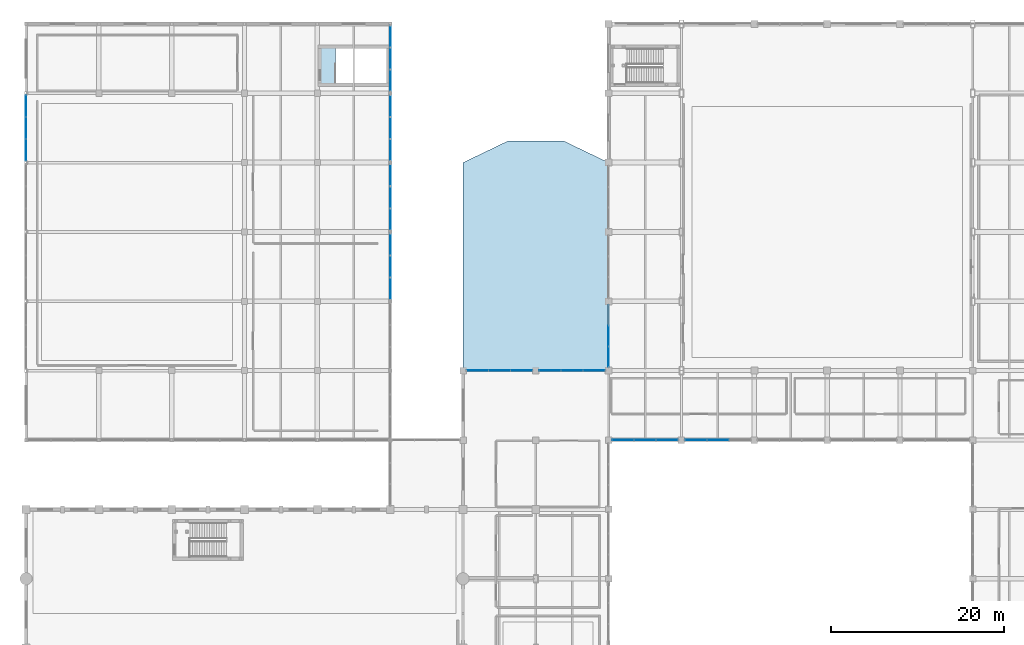
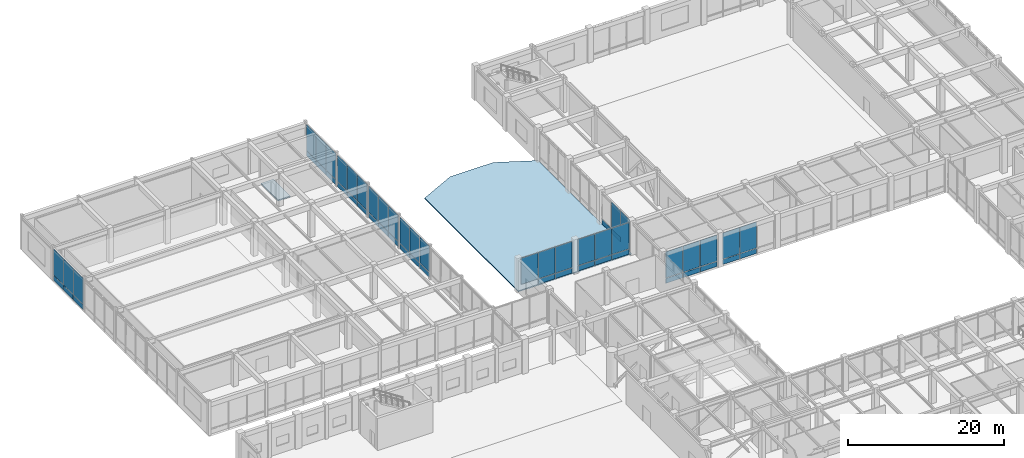
# One storey, part 52 of 79: 56 plates, 2 slabs, 10 elements without a shape of their own.
"""IFC4 building model written with IfcOpenShell, lengths in metres."""

from ifc_helpers import new_model, si_unit, direction, frame, origin, origin_2d, place, context, subcontext, project, spatial, polyline, rectangle, outline, extrude, material, layer, layer_set, type_object, element, aggregate, save


model = new_model("IFC4")

# Units and contexts
model_context = context("Model", 3, precision=1e-05, world=origin(), true_north=direction((0.0, 1.0)))
body_context = subcontext(model_context, "Body", "Model", "MODEL_VIEW")
ifc_project = project(units=[si_unit("LENGTHUNIT", "METRE"), si_unit("AREAUNIT", "SQUARE_METRE"), si_unit("VOLUMEUNIT", "CUBIC_METRE"), si_unit("PLANEANGLEUNIT", "RADIAN"), si_unit("MASSUNIT", "GRAM", prefix="KILO")], contexts=[model_context])

# Site, building, storey
site_placement = place(None, origin())
site = spatial("IfcSite", under=ifc_project, at=site_placement, CompositionType="ELEMENT")
building_placement = place(site_placement, origin())
building = spatial("IfcBuilding", under=site, at=building_placement, Name="Naruveol Harbour Congress Hotel", CompositionType="ELEMENT")
storey_placement = place(building_placement, frame((0.0, 0.0, 6.0)))
storey = spatial("IfcBuildingStorey", under=building, at=storey_placement, Name="L01", CompositionType="ELEMENT", Elevation=6.0)

# Curtain wall, plates
ifc_material_1 = material(Name="Low-E Curtain Wall System", Category="glass")
ifc_layer_1 = layer(ifc_material_1, 0.179931640625)
ifc_layer_set_1 = layer_set([ifc_layer_1], Name="Low-E Curtain Wall System")
curtain_wall_type_1 = type_object("IfcCurtainWallType", Name="UNITISED CURTAIN WALL CW-V3P-13 7650X5100", PredefinedType="USERDEFINED", material=ifc_layer_set_1)
curtain_wall_1_placement = place(storey_placement, origin())
curtain_wall_1 = element("IfcCurtainWall", 1, at=curtain_wall_1_placement, inside=storey, type_object=curtain_wall_type_1, Name="Unitised curtain wall CW-V3P-13 L01", ObjectType="UNITISED GLAZING", PredefinedType="USERDEFINED")
ifc_material_2 = material(Name="Anodised Aluminium Spandrel", Category="aluminium")
ifc_layer_2 = layer(ifc_material_2, 0.054931640625)
ifc_layer_set_2 = layer_set([ifc_layer_2], Name="Anodised Aluminium Spandrel")
plate_type_1 = type_object("IfcPlateType", Name="INSULATED CERAMIC SPANDREL PANEL 55", PredefinedType="CURTAIN_PANEL", material=ifc_layer_set_2)
plate_1_placement = place(storey_placement, frame((-0.010009765625, 97.449951171875, 0.0400390625), z_axis=(0.0, 0.0, 1.0), x_axis=(0.0, 1.0, 0.0)))
plate_1 = element("IfcPlate", 2, at=plate_1_placement, type_object=plate_type_1, Name="Curtain wall spandrel panel CW-L01-0021-PS0", PredefinedType="CURTAIN_PANEL", context=body_context, shape_type="SweptSolid", body=[
    extrude(rectangle(XDim=2.469970703125, YDim=0.054931640625, at=origin_2d()), origin(), (0.0, 0.0, 1.0), 0.77001953125),
])
plate_2_placement = place(storey_placement, frame((-0.010009765625, 100.0, 0.0400390625), z_axis=(0.0, 0.0, 1.0), x_axis=(0.0, 1.0, 0.0)))
plate_2 = element("IfcPlate", 3, at=plate_2_placement, type_object=plate_type_1, Name="Curtain wall spandrel panel CW-L01-0021-PS1", PredefinedType="CURTAIN_PANEL", context=body_context, shape_type="SweptSolid", body=[
    extrude(rectangle(XDim=2.469970703125, YDim=0.054931640625, at=origin_2d()), origin(), (0.0, 0.0, 1.0), 0.77001953125),
])
plate_3_placement = place(storey_placement, frame((-0.010009765625, 102.550048828125, 0.0400390625), z_axis=(0.0, 0.0, 1.0), x_axis=(0.0, 1.0, 0.0)))
plate_3 = element("IfcPlate", 4, at=plate_3_placement, type_object=plate_type_1, Name="Curtain wall spandrel panel CW-L01-0021-PS2", PredefinedType="CURTAIN_PANEL", context=body_context, shape_type="SweptSolid", body=[
    extrude(rectangle(XDim=2.469970703125, YDim=0.054931640625, at=origin_2d()), origin(), (0.0, 0.0, 1.0), 0.77001953125),
])

ifc_material_3 = material(Name="Low-E Curtain Wall System", Category="glass")
ifc_layer_3 = layer(ifc_material_3, 0.179931640625)
ifc_layer_set_3 = layer_set([ifc_layer_3], Name="Low-E Curtain Wall System")
curtain_wall_type_2 = type_object("IfcCurtainWallType", Name="UNITISED CURTAIN WALL CW-V3E-15 7650X5100", PredefinedType="USERDEFINED", material=ifc_layer_set_3)
curtain_wall_2_placement = place(storey_placement, origin())
curtain_wall_2 = element("IfcCurtainWall", 5, at=curtain_wall_2_placement, inside=storey, type_object=curtain_wall_type_2, Name="Unitised curtain wall CW-V3E-15 L01", ObjectType="UNITISED GLAZING", PredefinedType="USERDEFINED")
plate_4_placement = place(storey_placement, frame((42.010009765625, 86.550048828125, 0.0400390625), z_axis=(0.0, 0.0, 1.0), x_axis=(0.0, -1.0, 0.0)))
plate_4 = element("IfcPlate", 6, at=plate_4_placement, type_object=plate_type_1, Name="Curtain wall spandrel panel CW-L01-0029-PS0", PredefinedType="CURTAIN_PANEL", context=body_context, shape_type="SweptSolid", body=[
    extrude(rectangle(XDim=2.469970703125, YDim=0.054931640625, at=origin_2d()), origin(), (0.0, 0.0, 1.0), 0.77001953125),
])
plate_5_placement = place(storey_placement, frame((42.010009765625, 84.0, 0.0400390625), z_axis=(0.0, 0.0, 1.0), x_axis=(0.0, -1.0, 0.0)))
plate_5 = element("IfcPlate", 7, at=plate_5_placement, type_object=plate_type_1, Name="Curtain wall spandrel panel CW-L01-0029-PS1", PredefinedType="CURTAIN_PANEL", context=body_context, shape_type="SweptSolid", body=[
    extrude(rectangle(XDim=2.469970703125, YDim=0.054931640625, at=origin_2d()), origin(), (0.0, 0.0, 1.0), 0.77001953125),
])
plate_6_placement = place(storey_placement, frame((42.010009765625, 81.449951171875, 0.0400390625), z_axis=(0.0, 0.0, 1.0), x_axis=(0.0, -1.0, 0.0)))
plate_6 = element("IfcPlate", 8, at=plate_6_placement, type_object=plate_type_1, Name="Curtain wall spandrel panel CW-L01-0029-PS2", PredefinedType="CURTAIN_PANEL", context=body_context, shape_type="SweptSolid", body=[
    extrude(rectangle(XDim=2.469970703125, YDim=0.054931640625, at=origin_2d()), origin(), (0.0, 0.0, 1.0), 0.77001953125),
])

curtain_wall_3_placement = place(storey_placement, origin())
curtain_wall_3 = element("IfcCurtainWall", 9, at=curtain_wall_3_placement, inside=storey, type_object=curtain_wall_type_2, Name="Unitised curtain wall CW-V3E-15 L01", ObjectType="UNITISED GLAZING", PredefinedType="USERDEFINED")
plate_7_placement = place(storey_placement, frame((42.010009765625, 94.550048828125, 0.0400390625), z_axis=(0.0, 0.0, 1.0), x_axis=(0.0, -1.0, 0.0)))
plate_7 = element("IfcPlate", 10, at=plate_7_placement, type_object=plate_type_1, Name="Curtain wall spandrel panel CW-L01-0030-PS0", PredefinedType="CURTAIN_PANEL", context=body_context, shape_type="SweptSolid", body=[
    extrude(rectangle(XDim=2.469970703125, YDim=0.054931640625, at=origin_2d()), origin(), (0.0, 0.0, 1.0), 0.77001953125),
])
plate_8_placement = place(storey_placement, frame((42.010009765625, 92.0, 0.0400390625), z_axis=(0.0, 0.0, 1.0), x_axis=(0.0, -1.0, 0.0)))
plate_8 = element("IfcPlate", 11, at=plate_8_placement, type_object=plate_type_1, Name="Curtain wall spandrel panel CW-L01-0030-PS1", PredefinedType="CURTAIN_PANEL", context=body_context, shape_type="SweptSolid", body=[
    extrude(rectangle(XDim=2.469970703125, YDim=0.054931640625, at=origin_2d()), origin(), (0.0, 0.0, 1.0), 0.77001953125),
])
plate_9_placement = place(storey_placement, frame((42.010009765625, 89.449951171875, 0.0400390625), z_axis=(0.0, 0.0, 1.0), x_axis=(0.0, -1.0, 0.0)))
plate_9 = element("IfcPlate", 12, at=plate_9_placement, type_object=plate_type_1, Name="Curtain wall spandrel panel CW-L01-0030-PS2", PredefinedType="CURTAIN_PANEL", context=body_context, shape_type="SweptSolid", body=[
    extrude(rectangle(XDim=2.469970703125, YDim=0.054931640625, at=origin_2d()), origin(), (0.0, 0.0, 1.0), 0.77001953125),
])

curtain_wall_4_placement = place(storey_placement, origin())
curtain_wall_4 = element("IfcCurtainWall", 13, at=curtain_wall_4_placement, inside=storey, type_object=curtain_wall_type_2, Name="Unitised curtain wall CW-V3E-15 L01", ObjectType="UNITISED GLAZING", PredefinedType="USERDEFINED")
plate_10_placement = place(storey_placement, frame((42.010009765625, 102.550048828125, 0.0400390625), z_axis=(0.0, 0.0, 1.0), x_axis=(0.0, -1.0, 0.0)))
plate_10 = element("IfcPlate", 14, at=plate_10_placement, type_object=plate_type_1, Name="Curtain wall spandrel panel CW-L01-0031-PS0", PredefinedType="CURTAIN_PANEL", context=body_context, shape_type="SweptSolid", body=[
    extrude(rectangle(XDim=2.469970703125, YDim=0.054931640625, at=origin_2d()), origin(), (0.0, 0.0, 1.0), 0.77001953125),
])
plate_11_placement = place(storey_placement, frame((42.010009765625, 100.0, 0.0400390625), z_axis=(0.0, 0.0, 1.0), x_axis=(0.0, -1.0, 0.0)))
plate_11 = element("IfcPlate", 15, at=plate_11_placement, type_object=plate_type_1, Name="Curtain wall spandrel panel CW-L01-0031-PS1", PredefinedType="CURTAIN_PANEL", context=body_context, shape_type="SweptSolid", body=[
    extrude(rectangle(XDim=2.469970703125, YDim=0.054931640625, at=origin_2d()), origin(), (0.0, 0.0, 1.0), 0.77001953125),
])
plate_12_placement = place(storey_placement, frame((42.010009765625, 97.449951171875, 0.0400390625), z_axis=(0.0, 0.0, 1.0), x_axis=(0.0, -1.0, 0.0)))
plate_12 = element("IfcPlate", 16, at=plate_12_placement, type_object=plate_type_1, Name="Curtain wall spandrel panel CW-L01-0031-PS2", PredefinedType="CURTAIN_PANEL", context=body_context, shape_type="SweptSolid", body=[
    extrude(rectangle(XDim=2.469970703125, YDim=0.054931640625, at=origin_2d()), origin(), (0.0, 0.0, 1.0), 0.77001953125),
])

curtain_wall_5_placement = place(storey_placement, origin())
curtain_wall_5 = element("IfcCurtainWall", 17, at=curtain_wall_5_placement, inside=storey, type_object=curtain_wall_type_2, Name="Unitised curtain wall CW-V3E-15 L01", ObjectType="UNITISED GLAZING", PredefinedType="USERDEFINED")
plate_13_placement = place(storey_placement, frame((42.010009765625, 110.550048828125, 0.0400390625), z_axis=(0.0, 0.0, 1.0), x_axis=(0.0, -1.0, 0.0)))
plate_13 = element("IfcPlate", 18, at=plate_13_placement, type_object=plate_type_1, Name="Curtain wall spandrel panel CW-L01-0032-PS0", PredefinedType="CURTAIN_PANEL", context=body_context, shape_type="SweptSolid", body=[
    extrude(rectangle(XDim=2.469970703125, YDim=0.054931640625, at=origin_2d()), origin(), (0.0, 0.0, 1.0), 0.77001953125),
])
plate_14_placement = place(storey_placement, frame((42.010009765625, 108.0, 0.0400390625), z_axis=(0.0, 0.0, 1.0), x_axis=(0.0, -1.0, 0.0)))
plate_14 = element("IfcPlate", 19, at=plate_14_placement, type_object=plate_type_1, Name="Curtain wall spandrel panel CW-L01-0032-PS1", PredefinedType="CURTAIN_PANEL", context=body_context, shape_type="SweptSolid", body=[
    extrude(rectangle(XDim=2.469970703125, YDim=0.054931640625, at=origin_2d()), origin(), (0.0, 0.0, 1.0), 0.77001953125),
])
plate_15_placement = place(storey_placement, frame((42.010009765625, 105.449951171875, 0.0400390625), z_axis=(0.0, 0.0, 1.0), x_axis=(0.0, -1.0, 0.0)))
plate_15 = element("IfcPlate", 20, at=plate_15_placement, type_object=plate_type_1, Name="Curtain wall spandrel panel CW-L01-0032-PS2", PredefinedType="CURTAIN_PANEL", context=body_context, shape_type="SweptSolid", body=[
    extrude(rectangle(XDim=2.469970703125, YDim=0.054931640625, at=origin_2d()), origin(), (0.0, 0.0, 1.0), 0.77001953125),
])

ifc_material_4 = material(Name="Low-E Curtain Wall System", Category="glass")
ifc_layer_4 = layer(ifc_material_4, 0.179931640625)
ifc_layer_set_4 = layer_set([ifc_layer_4], Name="Low-E Curtain Wall System")
curtain_wall_type_3 = type_object("IfcCurtainWallType", Name="UNITISED CURTAIN WALL CW-V2W-17 7200X5100", PredefinedType="USERDEFINED", material=ifc_layer_set_4)
curtain_wall_6_placement = place(storey_placement, origin())
curtain_wall_6 = element("IfcCurtainWall", 21, at=curtain_wall_6_placement, inside=storey, type_object=curtain_wall_type_3, Name="Unitised curtain wall CW-V2W-17 L01", ObjectType="UNITISED GLAZING", PredefinedType="USERDEFINED")
plate_16_placement = place(storey_placement, frame((67.18994140625, 73.60009765625, 0.0400390625), z_axis=(0.0, 0.0, 1.0), x_axis=(0.0, 1.0, 0.0)))
plate_16 = element("IfcPlate", 22, at=plate_16_placement, type_object=plate_type_1, Name="Curtain wall spandrel panel CW-L01-0036-PS0", PredefinedType="CURTAIN_PANEL", context=body_context, shape_type="SweptSolid", body=[
    extrude(rectangle(XDim=2.320068359375, YDim=0.054931640625, at=origin_2d()), origin(), (0.0, 0.0, 1.0), 0.77001953125),
])
plate_17_placement = place(storey_placement, frame((67.18994140625, 76.0, 0.0400390625), z_axis=(0.0, 0.0, 1.0), x_axis=(0.0, 1.0, 0.0)))
plate_17 = element("IfcPlate", 23, at=plate_17_placement, type_object=plate_type_1, Name="Curtain wall spandrel panel CW-L01-0036-PS1", PredefinedType="CURTAIN_PANEL", context=body_context, shape_type="SweptSolid", body=[
    extrude(rectangle(XDim=2.320068359375, YDim=0.054931640625, at=origin_2d()), origin(), (0.0, 0.0, 1.0), 0.77001953125),
])
plate_18_placement = place(storey_placement, frame((67.18994140625, 78.39990234375, 0.0400390625), z_axis=(0.0, 0.0, 1.0), x_axis=(0.0, 1.0, 0.0)))
plate_18 = element("IfcPlate", 24, at=plate_18_placement, type_object=plate_type_1, Name="Curtain wall spandrel panel CW-L01-0036-PS2", PredefinedType="CURTAIN_PANEL", context=body_context, shape_type="SweptSolid", body=[
    extrude(rectangle(XDim=2.320068359375, YDim=0.054931640625, at=origin_2d()), origin(), (0.0, 0.0, 1.0), 0.77001953125),
])

ifc_material_5 = material(Name="Low-E Curtain Wall System", Category="glass")
ifc_layer_5 = layer(ifc_material_5, 0.179931640625)
ifc_layer_set_5 = layer_set([ifc_layer_5], Name="Low-E Curtain Wall System")
curtain_wall_type_4 = type_object("IfcCurtainWallType", Name="UNITISED CURTAIN WALL CW-V4NF-32 7650X5100", PredefinedType="USERDEFINED", material=ifc_layer_set_5)
curtain_wall_7_placement = place(storey_placement, origin())
curtain_wall_7 = element("IfcCurtainWall", 25, at=curtain_wall_7_placement, inside=storey, type_object=curtain_wall_type_4, Name="Unitised curtain wall CW-V4NF-32 L01", ObjectType="UNITISED GLAZING", PredefinedType="USERDEFINED")
plate_19_placement = place(storey_placement, frame((54.60009765625, 72.010009765625, 0.0400390625), z_axis=(0.0, 0.0, 1.0), x_axis=(1.0, 0.0, 0.0)))
plate_19 = element("IfcPlate", 26, at=plate_19_placement, type_object=plate_type_1, Name="Curtain wall spandrel panel CW-L01-0076-PS1", PredefinedType="CURTAIN_PANEL", context=body_context, shape_type="SweptSolid", body=[
    extrude(rectangle(XDim=2.469970703125, YDim=0.054931640625, at=origin_2d()), origin(), (0.0, 0.0, 1.0), 0.77001953125),
])
plate_20_placement = place(storey_placement, frame((57.14990234375, 72.010009765625, 0.0400390625), z_axis=(0.0, 0.0, 1.0), x_axis=(1.0, 0.0, 0.0)))
plate_20 = element("IfcPlate", 27, at=plate_20_placement, type_object=plate_type_1, Name="Curtain wall spandrel panel CW-L01-0076-PS2", PredefinedType="CURTAIN_PANEL", context=body_context, shape_type="SweptSolid", body=[
    extrude(rectangle(XDim=2.469970703125, YDim=0.054931640625, at=origin_2d()), origin(), (0.0, 0.0, 1.0), 0.77001953125),
])

ifc_material_6 = material(Name="Low-E Curtain Wall System", Category="glass")
ifc_layer_6 = layer(ifc_material_6, 0.179931640625)
ifc_layer_set_6 = layer_set([ifc_layer_6], Name="Low-E Curtain Wall System")
curtain_wall_type_5 = type_object("IfcCurtainWallType", Name="UNITISED CURTAIN WALL CW-V4NF-33 7625X5100", PredefinedType="USERDEFINED", material=ifc_layer_set_6)
curtain_wall_8_placement = place(storey_placement, origin())
curtain_wall_8 = element("IfcCurtainWall", 28, at=curtain_wall_8_placement, inside=storey, type_object=curtain_wall_type_5, Name="Unitised curtain wall CW-V4NF-33 L01", ObjectType="UNITISED GLAZING", PredefinedType="USERDEFINED")
plate_21_placement = place(storey_placement, frame((60.44580078125, 72.010009765625, 0.0400390625), z_axis=(0.0, 0.0, 1.0), x_axis=(1.0, 0.0, 0.0)))
plate_21 = element("IfcPlate", 29, at=plate_21_placement, type_object=plate_type_1, Name="Curtain wall spandrel panel CW-L01-0077-PS0", PredefinedType="CURTAIN_PANEL", context=body_context, shape_type="SweptSolid", body=[
    extrude(rectangle(XDim=2.4619140625, YDim=0.054931640625, at=origin_2d()), origin(), (0.0, 0.0, 1.0), 0.77001953125),
])
plate_22_placement = place(storey_placement, frame((62.987548828125, 72.010009765625, 0.0400390625), z_axis=(0.0, 0.0, 1.0), x_axis=(1.0, 0.0, 0.0)))
plate_22 = element("IfcPlate", 30, at=plate_22_placement, type_object=plate_type_1, Name="Curtain wall spandrel panel CW-L01-0077-PS1", PredefinedType="CURTAIN_PANEL", context=body_context, shape_type="SweptSolid", body=[
    extrude(rectangle(XDim=2.4619140625, YDim=0.054931640625, at=origin_2d()), origin(), (0.0, 0.0, 1.0), 0.77001953125),
])
plate_23_placement = place(storey_placement, frame((65.529296875, 72.010009765625, 0.0400390625), z_axis=(0.0, 0.0, 1.0), x_axis=(1.0, 0.0, 0.0)))
plate_23 = element("IfcPlate", 31, at=plate_23_placement, type_object=plate_type_1, Name="Curtain wall spandrel panel CW-L01-0077-PS2", PredefinedType="CURTAIN_PANEL", context=body_context, shape_type="SweptSolid", body=[
    extrude(rectangle(XDim=2.4619140625, YDim=0.054931640625, at=origin_2d()), origin(), (0.0, 0.0, 1.0), 0.77001953125),
])

ifc_material_7 = material(Name="Low-E Curtain Wall System", Category="glass")
ifc_layer_7 = layer(ifc_material_7, 0.179931640625)
ifc_layer_set_7 = layer_set([ifc_layer_7], Name="Low-E Curtain Wall System")
curtain_wall_type_6 = type_object("IfcCurtainWallType", Name="UNITISED CURTAIN WALL CW-CTN-34 7650X5100", PredefinedType="USERDEFINED", material=ifc_layer_set_7)
curtain_wall_9_placement = place(storey_placement, origin())
curtain_wall_9 = element("IfcCurtainWall", 32, at=curtain_wall_9_placement, inside=storey, type_object=curtain_wall_type_6, Name="Unitised curtain wall CW-CTN-34 L01", ObjectType="UNITISED GLAZING", PredefinedType="USERDEFINED")
plate_24_placement = place(storey_placement, frame((73.949951171875, 63.989990234375, 0.0400390625), z_axis=(0.0, 0.0, 1.0), x_axis=(-1.0, 0.0, 0.0)))
plate_24 = element("IfcPlate", 33, at=plate_24_placement, type_object=plate_type_1, Name="Curtain wall spandrel panel CW-L01-0078-PS0", PredefinedType="CURTAIN_PANEL", context=body_context, shape_type="SweptSolid", body=[
    extrude(rectangle(XDim=2.469970703125, YDim=0.054931640625, at=origin_2d()), origin(), (0.0, 0.0, 1.0), 0.77001953125),
])
plate_25_placement = place(storey_placement, frame((71.39990234375, 63.989990234375, 0.0400390625), z_axis=(0.0, 0.0, 1.0), x_axis=(-1.0, 0.0, 0.0)))
plate_25 = element("IfcPlate", 34, at=plate_25_placement, type_object=plate_type_1, Name="Curtain wall spandrel panel CW-L01-0078-PS1", PredefinedType="CURTAIN_PANEL", context=body_context, shape_type="SweptSolid", body=[
    extrude(rectangle(XDim=2.469970703125, YDim=0.054931640625, at=origin_2d()), origin(), (0.0, 0.0, 1.0), 0.77001953125),
])
plate_26_placement = place(storey_placement, frame((68.85009765625, 63.989990234375, 0.0400390625), z_axis=(0.0, 0.0, 1.0), x_axis=(-1.0, 0.0, 0.0)))
plate_26 = element("IfcPlate", 35, at=plate_26_placement, type_object=plate_type_1, Name="Curtain wall spandrel panel CW-L01-0078-PS2", PredefinedType="CURTAIN_PANEL", context=body_context, shape_type="SweptSolid", body=[
    extrude(rectangle(XDim=2.469970703125, YDim=0.054931640625, at=origin_2d()), origin(), (0.0, 0.0, 1.0), 0.77001953125),
])

curtain_wall_10_placement = place(storey_placement, origin())
curtain_wall_10 = element("IfcCurtainWall", 36, at=curtain_wall_10_placement, inside=storey, type_object=curtain_wall_type_6, Name="Unitised curtain wall CW-CTN-34 L01", ObjectType="UNITISED GLAZING", PredefinedType="USERDEFINED")
plate_27_placement = place(storey_placement, frame((79.800048828125, 63.989990234375, 0.0400390625), z_axis=(0.0, 0.0, 1.0), x_axis=(-1.0, 0.0, 0.0)))
plate_27 = element("IfcPlate", 37, at=plate_27_placement, type_object=plate_type_1, Name="Curtain wall spandrel panel CW-L01-0080-PS1", PredefinedType="CURTAIN_PANEL", context=body_context, shape_type="SweptSolid", body=[
    extrude(rectangle(XDim=2.469970703125, YDim=0.054931640625, at=origin_2d()), origin(), (0.0, 0.0, 1.0), 0.77001953125),
])
plate_28_placement = place(storey_placement, frame((77.25, 63.989990234375, 0.0400390625), z_axis=(0.0, 0.0, 1.0), x_axis=(-1.0, 0.0, 0.0)))
plate_28 = element("IfcPlate", 38, at=plate_28_placement, type_object=plate_type_1, Name="Curtain wall spandrel panel CW-L01-0080-PS2", PredefinedType="CURTAIN_PANEL", context=body_context, shape_type="SweptSolid", body=[
    extrude(rectangle(XDim=2.469970703125, YDim=0.054931640625, at=origin_2d()), origin(), (0.0, 0.0, 1.0), 0.77001953125),
])

# Plate
ifc_material_8 = material(Name="Low-E Insulated Glass", Category="glass")
ifc_layer_8 = layer(ifc_material_8, 0.0419921875)
ifc_layer_set_8 = layer_set([ifc_layer_8], Name="Low-E Insulated Glass")
plate_type_2 = type_object("IfcPlateType", Name="LOW-E TRIPLE GLAZED CURTAIN PANEL 42", PredefinedType="CURTAIN_PANEL", material=ifc_layer_set_8)
plate_29_placement = place(storey_placement, frame((-0.010009765625, 97.449951171875, 0.89013671875), z_axis=(0.0, 0.0, 1.0), x_axis=(0.0, 1.0, 0.0)))
plate_29 = element("IfcPlate", 39, at=plate_29_placement, type_object=plate_type_2, Name="Curtain wall vision panel CW-L01-0021-PG0", PredefinedType="CURTAIN_PANEL", context=body_context, shape_type="SweptSolid", body=[
    extrude(rectangle(XDim=2.469970703125, YDim=0.0419921875, at=origin_2d()), origin(), (0.0, 0.0, 1.0), 4.090087890625),
])

plate_30_placement = place(storey_placement, frame((-0.010009765625, 100.0, 0.89013671875), z_axis=(0.0, 0.0, 1.0), x_axis=(0.0, 1.0, 0.0)))
plate_30 = element("IfcPlate", 40, at=plate_30_placement, type_object=plate_type_2, Name="Curtain wall vision panel CW-L01-0021-PG1", PredefinedType="CURTAIN_PANEL", context=body_context, shape_type="SweptSolid", body=[
    extrude(rectangle(XDim=2.469970703125, YDim=0.0419921875, at=origin_2d()), origin(), (0.0, 0.0, 1.0), 4.090087890625),
])

plate_31_placement = place(storey_placement, frame((-0.010009765625, 102.550048828125, 0.89013671875), z_axis=(0.0, 0.0, 1.0), x_axis=(0.0, 1.0, 0.0)))
plate_31 = element("IfcPlate", 41, at=plate_31_placement, type_object=plate_type_2, Name="Curtain wall vision panel CW-L01-0021-PG2", PredefinedType="CURTAIN_PANEL", context=body_context, shape_type="SweptSolid", body=[
    extrude(rectangle(XDim=2.469970703125, YDim=0.0419921875, at=origin_2d()), origin(), (0.0, 0.0, 1.0), 4.090087890625),
])

aggregate(curtain_wall_1, [plate_1, plate_29, plate_2, plate_30, plate_3, plate_31])

plate_32_placement = place(storey_placement, frame((42.010009765625, 86.550048828125, 0.89013671875), z_axis=(0.0, 0.0, 1.0), x_axis=(0.0, -1.0, 0.0)))
plate_32 = element("IfcPlate", 42, at=plate_32_placement, type_object=plate_type_2, Name="Curtain wall vision panel CW-L01-0029-PG0", PredefinedType="CURTAIN_PANEL", context=body_context, shape_type="SweptSolid", body=[
    extrude(rectangle(XDim=2.469970703125, YDim=0.0419921875, at=origin_2d()), origin(), (0.0, 0.0, 1.0), 4.090087890625),
])

plate_33_placement = place(storey_placement, frame((42.010009765625, 84.0, 0.89013671875), z_axis=(0.0, 0.0, 1.0), x_axis=(0.0, -1.0, 0.0)))
plate_33 = element("IfcPlate", 43, at=plate_33_placement, type_object=plate_type_2, Name="Curtain wall vision panel CW-L01-0029-PG1", PredefinedType="CURTAIN_PANEL", context=body_context, shape_type="SweptSolid", body=[
    extrude(rectangle(XDim=2.469970703125, YDim=0.0419921875, at=origin_2d()), origin(), (0.0, 0.0, 1.0), 4.090087890625),
])

plate_34_placement = place(storey_placement, frame((42.010009765625, 81.449951171875, 0.89013671875), z_axis=(0.0, 0.0, 1.0), x_axis=(0.0, -1.0, 0.0)))
plate_34 = element("IfcPlate", 44, at=plate_34_placement, type_object=plate_type_2, Name="Curtain wall vision panel CW-L01-0029-PG2", PredefinedType="CURTAIN_PANEL", context=body_context, shape_type="SweptSolid", body=[
    extrude(rectangle(XDim=2.469970703125, YDim=0.0419921875, at=origin_2d()), origin(), (0.0, 0.0, 1.0), 4.090087890625),
])

aggregate(curtain_wall_2, [plate_4, plate_32, plate_5, plate_33, plate_6, plate_34])

plate_35_placement = place(storey_placement, frame((42.010009765625, 94.550048828125, 0.89013671875), z_axis=(0.0, 0.0, 1.0), x_axis=(0.0, -1.0, 0.0)))
plate_35 = element("IfcPlate", 45, at=plate_35_placement, type_object=plate_type_2, Name="Curtain wall vision panel CW-L01-0030-PG0", PredefinedType="CURTAIN_PANEL", context=body_context, shape_type="SweptSolid", body=[
    extrude(rectangle(XDim=2.469970703125, YDim=0.0419921875, at=origin_2d()), origin(), (0.0, 0.0, 1.0), 4.090087890625),
])

plate_36_placement = place(storey_placement, frame((42.010009765625, 92.0, 0.89013671875), z_axis=(0.0, 0.0, 1.0), x_axis=(0.0, -1.0, 0.0)))
plate_36 = element("IfcPlate", 46, at=plate_36_placement, type_object=plate_type_2, Name="Curtain wall vision panel CW-L01-0030-PG1", PredefinedType="CURTAIN_PANEL", context=body_context, shape_type="SweptSolid", body=[
    extrude(rectangle(XDim=2.469970703125, YDim=0.0419921875, at=origin_2d()), origin(), (0.0, 0.0, 1.0), 4.090087890625),
])

plate_37_placement = place(storey_placement, frame((42.010009765625, 89.449951171875, 0.89013671875), z_axis=(0.0, 0.0, 1.0), x_axis=(0.0, -1.0, 0.0)))
plate_37 = element("IfcPlate", 47, at=plate_37_placement, type_object=plate_type_2, Name="Curtain wall vision panel CW-L01-0030-PG2", PredefinedType="CURTAIN_PANEL", context=body_context, shape_type="SweptSolid", body=[
    extrude(rectangle(XDim=2.469970703125, YDim=0.0419921875, at=origin_2d()), origin(), (0.0, 0.0, 1.0), 4.090087890625),
])

aggregate(curtain_wall_3, [plate_7, plate_35, plate_8, plate_36, plate_9, plate_37])

plate_38_placement = place(storey_placement, frame((42.010009765625, 102.550048828125, 0.89013671875), z_axis=(0.0, 0.0, 1.0), x_axis=(0.0, -1.0, 0.0)))
plate_38 = element("IfcPlate", 48, at=plate_38_placement, type_object=plate_type_2, Name="Curtain wall vision panel CW-L01-0031-PG0", PredefinedType="CURTAIN_PANEL", context=body_context, shape_type="SweptSolid", body=[
    extrude(rectangle(XDim=2.469970703125, YDim=0.0419921875, at=origin_2d()), origin(), (0.0, 0.0, 1.0), 4.090087890625),
])

plate_39_placement = place(storey_placement, frame((42.010009765625, 100.0, 0.89013671875), z_axis=(0.0, 0.0, 1.0), x_axis=(0.0, -1.0, 0.0)))
plate_39 = element("IfcPlate", 49, at=plate_39_placement, type_object=plate_type_2, Name="Curtain wall vision panel CW-L01-0031-PG1", PredefinedType="CURTAIN_PANEL", context=body_context, shape_type="SweptSolid", body=[
    extrude(rectangle(XDim=2.469970703125, YDim=0.0419921875, at=origin_2d()), origin(), (0.0, 0.0, 1.0), 4.090087890625),
])

plate_40_placement = place(storey_placement, frame((42.010009765625, 97.449951171875, 0.89013671875), z_axis=(0.0, 0.0, 1.0), x_axis=(0.0, -1.0, 0.0)))
plate_40 = element("IfcPlate", 50, at=plate_40_placement, type_object=plate_type_2, Name="Curtain wall vision panel CW-L01-0031-PG2", PredefinedType="CURTAIN_PANEL", context=body_context, shape_type="SweptSolid", body=[
    extrude(rectangle(XDim=2.469970703125, YDim=0.0419921875, at=origin_2d()), origin(), (0.0, 0.0, 1.0), 4.090087890625),
])

aggregate(curtain_wall_4, [plate_10, plate_38, plate_11, plate_39, plate_12, plate_40])

plate_41_placement = place(storey_placement, frame((42.010009765625, 110.550048828125, 0.89013671875), z_axis=(0.0, 0.0, 1.0), x_axis=(0.0, -1.0, 0.0)))
plate_41 = element("IfcPlate", 51, at=plate_41_placement, type_object=plate_type_2, Name="Curtain wall vision panel CW-L01-0032-PG0", PredefinedType="CURTAIN_PANEL", context=body_context, shape_type="SweptSolid", body=[
    extrude(rectangle(XDim=2.469970703125, YDim=0.0419921875, at=origin_2d()), origin(), (0.0, 0.0, 1.0), 4.090087890625),
])

plate_42_placement = place(storey_placement, frame((42.010009765625, 108.0, 0.89013671875), z_axis=(0.0, 0.0, 1.0), x_axis=(0.0, -1.0, 0.0)))
plate_42 = element("IfcPlate", 52, at=plate_42_placement, type_object=plate_type_2, Name="Curtain wall vision panel CW-L01-0032-PG1", PredefinedType="CURTAIN_PANEL", context=body_context, shape_type="SweptSolid", body=[
    extrude(rectangle(XDim=2.469970703125, YDim=0.0419921875, at=origin_2d()), origin(), (0.0, 0.0, 1.0), 4.090087890625),
])

plate_43_placement = place(storey_placement, frame((42.010009765625, 105.449951171875, 0.89013671875), z_axis=(0.0, 0.0, 1.0), x_axis=(0.0, -1.0, 0.0)))
plate_43 = element("IfcPlate", 53, at=plate_43_placement, type_object=plate_type_2, Name="Curtain wall vision panel CW-L01-0032-PG2", PredefinedType="CURTAIN_PANEL", context=body_context, shape_type="SweptSolid", body=[
    extrude(rectangle(XDim=2.469970703125, YDim=0.0419921875, at=origin_2d()), origin(), (0.0, 0.0, 1.0), 4.090087890625),
])

aggregate(curtain_wall_5, [plate_13, plate_41, plate_14, plate_42, plate_15, plate_43])

plate_44_placement = place(storey_placement, frame((67.18994140625, 73.60009765625, 0.89013671875), z_axis=(0.0, 0.0, 1.0), x_axis=(0.0, 1.0, 0.0)))
plate_44 = element("IfcPlate", 54, at=plate_44_placement, type_object=plate_type_2, Name="Curtain wall vision panel CW-L01-0036-PG0", PredefinedType="CURTAIN_PANEL", context=body_context, shape_type="SweptSolid", body=[
    extrude(rectangle(XDim=2.320068359375, YDim=0.0419921875, at=origin_2d()), origin(), (0.0, 0.0, 1.0), 4.090087890625),
])

plate_45_placement = place(storey_placement, frame((67.18994140625, 76.0, 0.89013671875), z_axis=(0.0, 0.0, 1.0), x_axis=(0.0, 1.0, 0.0)))
plate_45 = element("IfcPlate", 55, at=plate_45_placement, type_object=plate_type_2, Name="Curtain wall vision panel CW-L01-0036-PG1", PredefinedType="CURTAIN_PANEL", context=body_context, shape_type="SweptSolid", body=[
    extrude(rectangle(XDim=2.320068359375, YDim=0.0419921875, at=origin_2d()), origin(), (0.0, 0.0, 1.0), 4.090087890625),
])

aggregate(curtain_wall_6, [plate_16, plate_44, plate_17, plate_45, plate_18])

plate_46_placement = place(storey_placement, frame((52.050048828125, 72.010009765625, 0.89013671875), z_axis=(0.0, 0.0, 1.0), x_axis=(1.0, 0.0, 0.0)))
plate_46 = element("IfcPlate", 56, at=plate_46_placement, type_object=plate_type_2, Name="Curtain wall vision panel CW-L01-0076-PG0", PredefinedType="CURTAIN_PANEL", context=body_context, shape_type="SweptSolid", body=[
    extrude(rectangle(XDim=2.469970703125, YDim=0.0419921875, at=origin_2d()), origin(), (0.0, 0.0, 1.0), 4.090087890625),
])

plate_47_placement = place(storey_placement, frame((54.60009765625, 72.010009765625, 0.89013671875), z_axis=(0.0, 0.0, 1.0), x_axis=(1.0, 0.0, 0.0)))
plate_47 = element("IfcPlate", 57, at=plate_47_placement, type_object=plate_type_2, Name="Curtain wall vision panel CW-L01-0076-PG1", PredefinedType="CURTAIN_PANEL", context=body_context, shape_type="SweptSolid", body=[
    extrude(rectangle(XDim=2.469970703125, YDim=0.0419921875, at=origin_2d()), origin(), (0.0, 0.0, 1.0), 4.090087890625),
])

plate_48_placement = place(storey_placement, frame((57.14990234375, 72.010009765625, 0.89013671875), z_axis=(0.0, 0.0, 1.0), x_axis=(1.0, 0.0, 0.0)))
plate_48 = element("IfcPlate", 58, at=plate_48_placement, type_object=plate_type_2, Name="Curtain wall vision panel CW-L01-0076-PG2", PredefinedType="CURTAIN_PANEL", context=body_context, shape_type="SweptSolid", body=[
    extrude(rectangle(XDim=2.469970703125, YDim=0.0419921875, at=origin_2d()), origin(), (0.0, 0.0, 1.0), 4.090087890625),
])

aggregate(curtain_wall_7, [plate_46, plate_19, plate_47, plate_20, plate_48])

plate_49_placement = place(storey_placement, frame((60.44580078125, 72.010009765625, 0.89013671875), z_axis=(0.0, 0.0, 1.0), x_axis=(1.0, 0.0, 0.0)))
plate_49 = element("IfcPlate", 59, at=plate_49_placement, type_object=plate_type_2, Name="Curtain wall vision panel CW-L01-0077-PG0", PredefinedType="CURTAIN_PANEL", context=body_context, shape_type="SweptSolid", body=[
    extrude(rectangle(XDim=2.4619140625, YDim=0.0419921875, at=origin_2d()), origin(), (0.0, 0.0, 1.0), 4.090087890625),
])

plate_50_placement = place(storey_placement, frame((62.987548828125, 72.010009765625, 0.89013671875), z_axis=(0.0, 0.0, 1.0), x_axis=(1.0, 0.0, 0.0)))
plate_50 = element("IfcPlate", 60, at=plate_50_placement, type_object=plate_type_2, Name="Curtain wall vision panel CW-L01-0077-PG1", PredefinedType="CURTAIN_PANEL", context=body_context, shape_type="SweptSolid", body=[
    extrude(rectangle(XDim=2.4619140625, YDim=0.0419921875, at=origin_2d()), origin(), (0.0, 0.0, 1.0), 4.090087890625),
])

plate_51_placement = place(storey_placement, frame((65.529296875, 72.010009765625, 0.89013671875), z_axis=(0.0, 0.0, 1.0), x_axis=(1.0, 0.0, 0.0)))
plate_51 = element("IfcPlate", 61, at=plate_51_placement, type_object=plate_type_2, Name="Curtain wall vision panel CW-L01-0077-PG2", PredefinedType="CURTAIN_PANEL", context=body_context, shape_type="SweptSolid", body=[
    extrude(rectangle(XDim=2.4619140625, YDim=0.0419921875, at=origin_2d()), origin(), (0.0, 0.0, 1.0), 4.090087890625),
])

aggregate(curtain_wall_8, [plate_21, plate_49, plate_22, plate_50, plate_23, plate_51])

plate_52_placement = place(storey_placement, frame((73.949951171875, 63.989990234375, 0.89013671875), z_axis=(0.0, 0.0, 1.0), x_axis=(-1.0, 0.0, 0.0)))
plate_52 = element("IfcPlate", 62, at=plate_52_placement, type_object=plate_type_2, Name="Curtain wall vision panel CW-L01-0078-PG0", PredefinedType="CURTAIN_PANEL", context=body_context, shape_type="SweptSolid", body=[
    extrude(rectangle(XDim=2.469970703125, YDim=0.0419921875, at=origin_2d()), origin(), (0.0, 0.0, 1.0), 4.090087890625),
])

plate_53_placement = place(storey_placement, frame((71.39990234375, 63.989990234375, 0.89013671875), z_axis=(0.0, 0.0, 1.0), x_axis=(-1.0, 0.0, 0.0)))
plate_53 = element("IfcPlate", 63, at=plate_53_placement, type_object=plate_type_2, Name="Curtain wall vision panel CW-L01-0078-PG1", PredefinedType="CURTAIN_PANEL", context=body_context, shape_type="SweptSolid", body=[
    extrude(rectangle(XDim=2.469970703125, YDim=0.0419921875, at=origin_2d()), origin(), (0.0, 0.0, 1.0), 4.090087890625),
])

plate_54_placement = place(storey_placement, frame((68.85009765625, 63.989990234375, 0.89013671875), z_axis=(0.0, 0.0, 1.0), x_axis=(-1.0, 0.0, 0.0)))
plate_54 = element("IfcPlate", 64, at=plate_54_placement, type_object=plate_type_2, Name="Curtain wall vision panel CW-L01-0078-PG2", PredefinedType="CURTAIN_PANEL", context=body_context, shape_type="SweptSolid", body=[
    extrude(rectangle(XDim=2.469970703125, YDim=0.0419921875, at=origin_2d()), origin(), (0.0, 0.0, 1.0), 4.090087890625),
])

aggregate(curtain_wall_9, [plate_24, plate_52, plate_25, plate_53, plate_26, plate_54])

plate_55_placement = place(storey_placement, frame((79.800048828125, 63.989990234375, 0.89013671875), z_axis=(0.0, 0.0, 1.0), x_axis=(-1.0, 0.0, 0.0)))
plate_55 = element("IfcPlate", 65, at=plate_55_placement, type_object=plate_type_2, Name="Curtain wall vision panel CW-L01-0080-PG1", PredefinedType="CURTAIN_PANEL", context=body_context, shape_type="SweptSolid", body=[
    extrude(rectangle(XDim=2.469970703125, YDim=0.0419921875, at=origin_2d()), origin(), (0.0, 0.0, 1.0), 4.090087890625),
])

plate_56_placement = place(storey_placement, frame((77.25, 63.989990234375, 0.89013671875), z_axis=(0.0, 0.0, 1.0), x_axis=(-1.0, 0.0, 0.0)))
plate_56 = element("IfcPlate", 66, at=plate_56_placement, type_object=plate_type_2, Name="Curtain wall vision panel CW-L01-0080-PG2", PredefinedType="CURTAIN_PANEL", context=body_context, shape_type="SweptSolid", body=[
    extrude(rectangle(XDim=2.469970703125, YDim=0.0419921875, at=origin_2d()), origin(), (0.0, 0.0, 1.0), 4.090087890625),
])

aggregate(curtain_wall_10, [plate_27, plate_55, plate_28, plate_56])

# Slabs
ifc_material_9 = material(Name="Concrete C40/50", Category="concrete")
ifc_layer_9 = layer(ifc_material_9, 0.159912109375)
ifc_layer_set_9 = layer_set([ifc_layer_9], Name="Concrete C40/50")
slab_type_1 = type_object("IfcSlabType", Name="RC MARQUISE CANOPY SLAB 160", PredefinedType="ROOF", material=ifc_layer_set_9)
slab_1_placement = place(storey_placement, frame((0.0, 0.0, -0.159912109375)))
element("IfcSlab", 67, at=slab_1_placement, inside=storey, type_object=slab_type_1, Name="Main Entrance Marquise Canopy", PredefinedType="ROOF", context=body_context, shape_type="SweptSolid", body=[
    extrude(outline(polyline([(50.39990234375, 72.0), (67.199951171875, 72.0), (67.199951171875, 96.0), (62.0, 98.5), (55.60009765625, 98.5), (50.39990234375, 96.0), (50.39990234375, 72.0)])), origin(), (0.0, 0.0, 1.0), 0.159912109375),
])
ifc_material_10 = material(Name="Concrete C40/50", Category="concrete")
ifc_layer_10 = layer(ifc_material_10, 0.179931640625)
ifc_layer_set_10 = layer_set([ifc_layer_10], Name="Concrete C40/50")
slab_type_2 = type_object("IfcSlabType", Name="RC STAIR HALF LANDING SLAB 180", PredefinedType="LANDING", material=ifc_layer_set_10)
slab_2_placement = place(storey_placement, frame((0.0, 0.0, -0.179931640625)))
element("IfcSlab", 68, at=slab_2_placement, inside=storey, type_object=slab_type_2, Name="Stair ST7 L01 floor landing", PredefinedType="LANDING", context=body_context, shape_type="SweptSolid", body=[
    extrude(outline(polyline([(33.89990234375, 105.0), (35.699951171875, 105.0), (35.699951171875, 109.360107421875), (33.89990234375, 109.360107421875), (33.89990234375, 105.0)])), origin(), (0.0, 0.0, 1.0), 0.179931640625),
])

save(model, "model.ifc")
